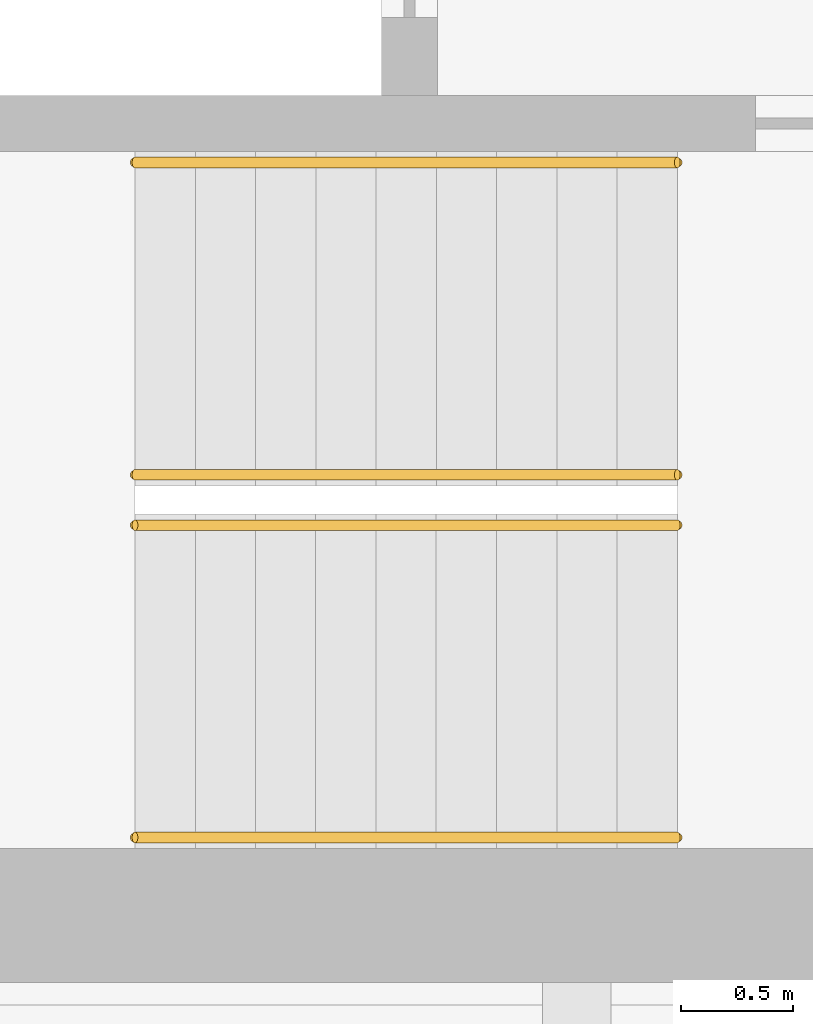
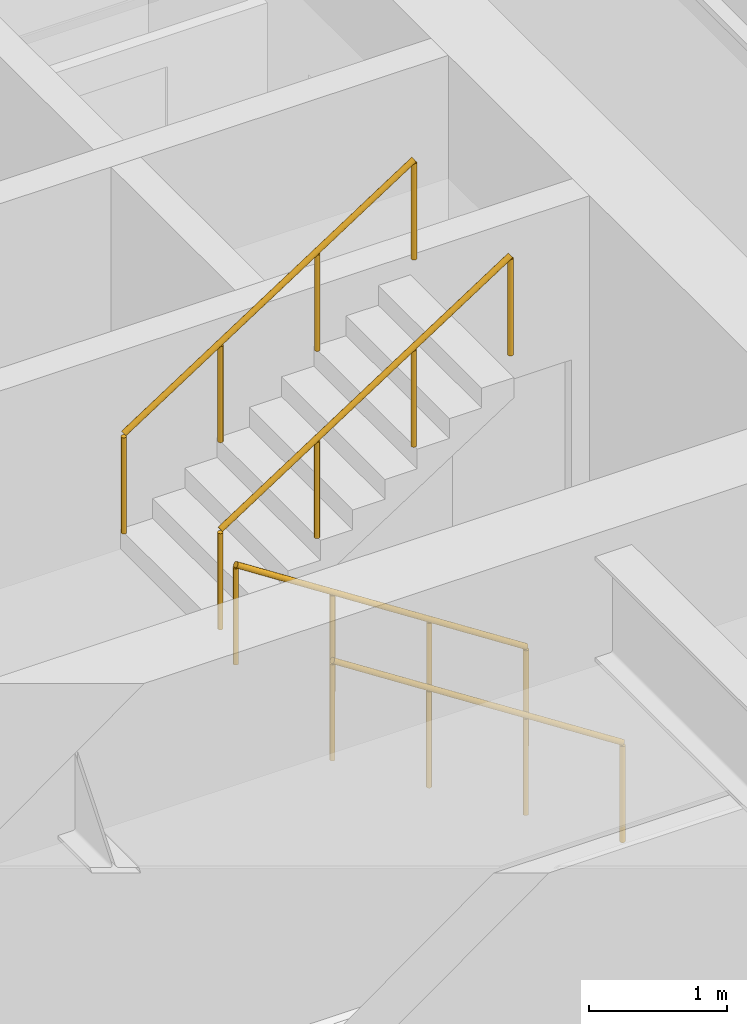
# One storey, part 17 of 21: 4 railings.
"""IFC4 building model written with IfcOpenShell, lengths in metres."""

from ifc_helpers import new_model, si_unit, direction, frame, origin, origin_2d, place, context, subcontext, project, spatial, circle, extrude, material, type_object, element, save


model = new_model("IFC4")

# Units and contexts
model_context = context("Model", 3, precision=1e-05, world=origin(), true_north=direction((0.0, 1.0)))
body_context = subcontext(model_context, "Body", "Model", "MODEL_VIEW")
ifc_project = project(units=[si_unit("LENGTHUNIT", "METRE"), si_unit("AREAUNIT", "SQUARE_METRE"), si_unit("VOLUMEUNIT", "CUBIC_METRE"), si_unit("PLANEANGLEUNIT", "RADIAN"), si_unit("MASSUNIT", "GRAM", prefix="KILO")], contexts=[model_context])

# Site, building, storey
site_placement = place(None, origin())
site = spatial("IfcSite", under=ifc_project, at=site_placement, CompositionType="ELEMENT")
building_placement = place(site_placement, origin())
building = spatial("IfcBuilding", under=site, at=building_placement, Name="Msasa Ring Tower", CompositionType="ELEMENT")
storey_placement = place(building_placement, frame((0.0, 0.0, 93.0)))
storey = spatial("IfcBuildingStorey", under=building, at=storey_placement, Name="L24", CompositionType="ELEMENT", Elevation=93.0)

# Railings
ifc_material = material(Name="Stainless steel", Category="steel")
railing_type = type_object("IfcRailingType", Name="HR1 HANDRAIL 900", PredefinedType="HANDRAIL", material=ifc_material)
for number, where, name in (
    (1, (-10.800048828125, -6.39990234375, 0.175048828125), "Handrail stair SWA L24 1"),
    (2, (-10.800048828125, -5.0, 0.175048828125), "Handrail stair SWA L24 2"),
):
    element("IfcRailing", number, at=place(storey_placement, frame(where)), inside=storey, type_object=railing_type, Name=name, PredefinedType="HANDRAIL", context=body_context, shape_type="SweptSolid", body=[
        extrude(circle(Radius=0.02392578125, at=origin_2d()), frame((0.0, 0.0, 0.8759765625), z_axis=(-0.839153699163, 0.0, 0.543894354798), x_axis=(0.0, -1.0, 0.0)), (0.0, 0.0, 1.0), 2.895751953125),
        extrude(circle(Radius=0.02099609375, at=origin_2d()), origin(), (0.0, 0.0, 1.0), 0.851806640625),
        extrude(circle(Radius=0.02099609375, at=origin_2d()), frame((-0.81005859375, 0.0, 0.52490234375)), (0.0, 0.0, 1.0), 0.851806640625),
        extrude(circle(Radius=0.02099609375, at=origin_2d()), frame((-1.619873046875, 0.0, 1.050048828125)), (0.0, 0.0, 1.0), 0.851806640625),
        extrude(circle(Radius=0.02099609375, at=origin_2d()), frame((-2.429931640625, 0.0, 1.574951171875)), (0.0, 0.0, 1.0), 0.851806640625),
    ])
for number, where, name in (
    (3, (-13.22998046875, -4.77490234375, 1.925048828125), "Handrail stair SWA L24 3"),
    (4, (-13.22998046875, -3.375, 1.925048828125), "Handrail stair SWA L24 4"),
):
    element("IfcRailing", number, at=place(storey_placement, frame(where)), inside=storey, type_object=railing_type, Name=name, PredefinedType="HANDRAIL", context=body_context, shape_type="SweptSolid", body=[
        extrude(circle(Radius=0.02392578125, at=origin_2d()), frame((0.0, 0.0, 0.8759765625), z_axis=(0.839153699163, 0.0, 0.543894354798), x_axis=(0.0, 1.0, 0.0)), (0.0, 0.0, 1.0), 2.895751953125),
        extrude(circle(Radius=0.02099609375, at=origin_2d()), origin(), (0.0, 0.0, 1.0), 0.851806640625),
        extrude(circle(Radius=0.02099609375, at=origin_2d()), frame((0.81005859375, 0.0, 0.52490234375)), (0.0, 0.0, 1.0), 0.851806640625),
        extrude(circle(Radius=0.02099609375, at=origin_2d()), frame((1.619873046875, 0.0, 1.050048828125)), (0.0, 0.0, 1.0), 0.851806640625),
        extrude(circle(Radius=0.02099609375, at=origin_2d()), frame((2.429931640625, 0.0, 1.574951171875)), (0.0, 0.0, 1.0), 0.851806640625),
    ])

save(model, "model.ifc")
